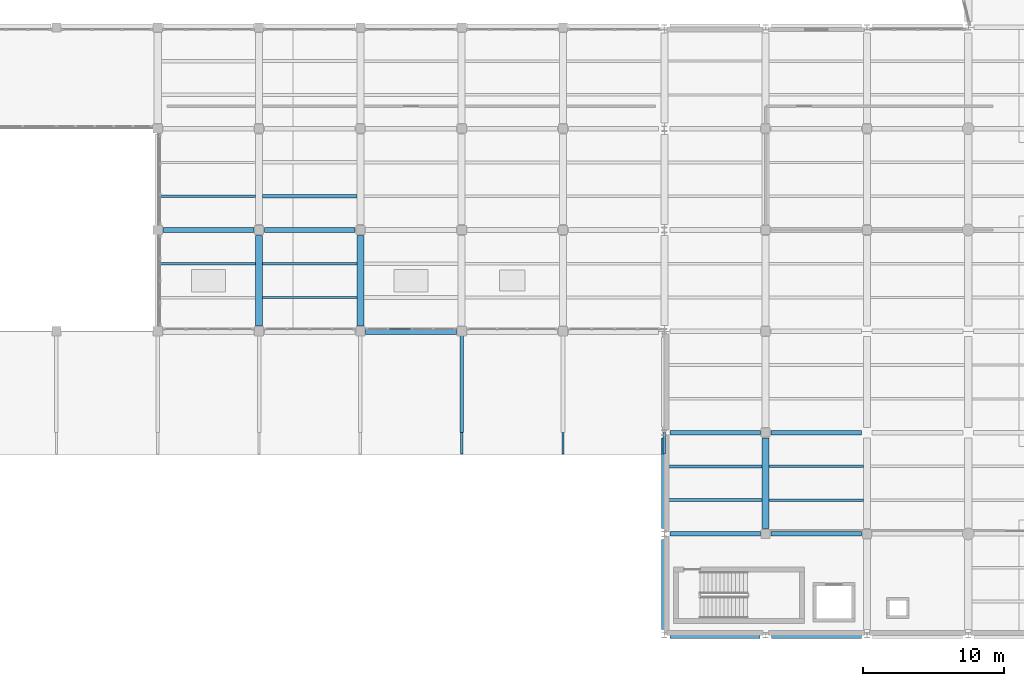
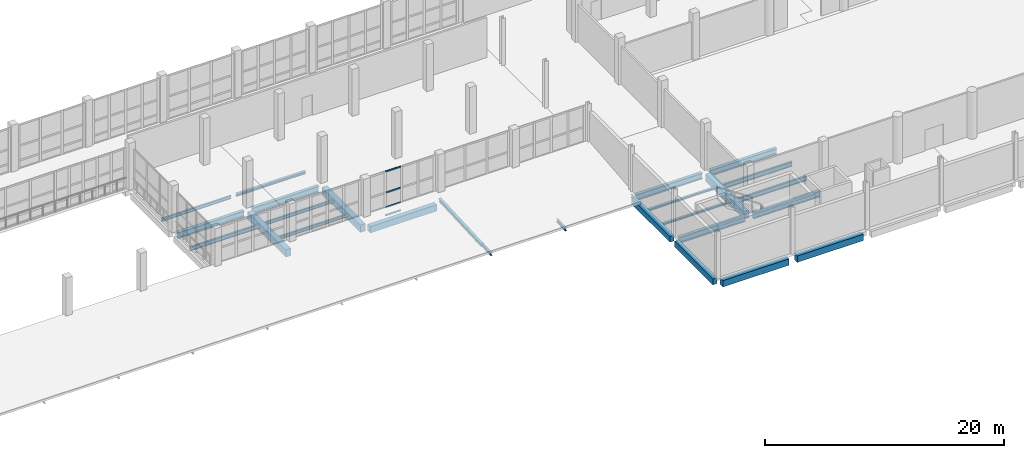
# One storey, part 29 of 127: 24 beams, 7 members, 1 element without a shape of its own.
"""IFC4 building model written with IfcOpenShell, lengths in metres."""

import ifcopenshell
import ifcopenshell.guid

model = None  # the IFC model being written
_history = None  # IfcOwnerHistory: only IFC2X3 demands one
_inside = {}  # id of a spatial element -> (the spatial element, [elements in it])
_under = {}  # id of a project, library or spatial element -> (it, [spatial elements below it])
_declared = {}  # id of a project -> (the project, [libraries it declares])
_typed = {}  # id of a type object -> (the type object, [elements of that type])
_made_of = {}  # id of a material, layer set ... -> (it, [elements and type objects made of it])


def new_model(schema):
    """Start an empty IFC model of exactly this schema.

    Asked for "IFC4X3", IfcOpenShell would pick the latest addendum, in which some entities
    have other attributes; the version numbers below select the first issue.
    IFC2X3 requires an IfcOwnerHistory on every rooted entity: one is made here for all.
    """
    global model, _history
    if schema == "IFC4X3":
        model = ifcopenshell.file(schema_version=(4, 3, 0, 0))
    else:
        model = ifcopenshell.file(schema=schema)
    _inside.clear()
    _under.clear()
    _declared.clear()
    _typed.clear()
    _made_of.clear()
    _history = None
    if model.schema == "IFC2X3":
        org = make("IfcOrganization", Name="unknown")
        user = make(
            "IfcPersonAndOrganization",
            ThePerson=make("IfcPerson", FamilyName="unknown"),
            TheOrganization=org,
        )
        app = make(
            "IfcApplication",
            ApplicationDeveloper=org,
            Version="unknown",
            ApplicationFullName="unknown",
            ApplicationIdentifier="unknown",
        )
        _history = make(
            "IfcOwnerHistory",
            OwningUser=user,
            OwningApplication=app,
            ChangeAction="ADDED",
            CreationDate=0,
        )
    return model


def make(cls, **values):
    """One entity of the class cls with the attributes given. An attribute that is None is left unset."""
    return model.create_entity(
        cls, **{name: value for name, value in values.items() if value is not None}
    )


def rooted(cls, **values):
    """An entity with a GlobalId (a new one), such as an element, a storey or a relation."""
    return make(cls, GlobalId=ifcopenshell.guid.new(), OwnerHistory=_history, **values)


def si_unit(unit_type, name, prefix=None):
    """IfcSIUnit, for example si_unit("LENGTHUNIT", "METRE", prefix="MILLI")."""
    return make("IfcSIUnit", UnitType=unit_type, Prefix=prefix, Name=name)


def assignment(units):
    """IfcUnitAssignment: the units of a project."""
    return None if units is None else make("IfcUnitAssignment", Units=units)


def point(xyz):
    """IfcCartesianPoint."""
    return None if xyz is None else make("IfcCartesianPoint", Coordinates=xyz)


def direction(xyz):
    """IfcDirection."""
    return None if xyz is None else make("IfcDirection", DirectionRatios=xyz)


def frame(location, z_axis=None, x_axis=None):
    """IfcAxis2Placement3D, a coordinate frame: its origin and axes. An axis left out is left unset."""
    return make(
        "IfcAxis2Placement3D",
        Location=point(location),
        Axis=direction(z_axis),
        RefDirection=direction(x_axis),
    )


def frame_2d(location, x_axis=None):
    """IfcAxis2Placement2D, a coordinate frame in the plane: its origin and x axis."""
    return make(
        "IfcAxis2Placement2D", Location=point(location), RefDirection=direction(x_axis)
    )


def origin():
    """The frame at (0, 0, 0) with its axes left unset."""
    return frame((0.0, 0.0, 0.0))


def origin_2d():
    """The frame at (0, 0) in the plane with its x axis left unset."""
    return frame_2d((0.0, 0.0))


def place(relative_to, where):
    """IfcLocalPlacement: puts the frame where relative to a parent placement (None: the world)."""
    return make(
        "IfcLocalPlacement", PlacementRelTo=relative_to, RelativePlacement=where
    )


def context(
    kind, dimensions, precision=None, world=None, true_north=None, identifier=None
):
    """IfcGeometricRepresentationContext, for example the 3D "Model" context."""
    return make(
        "IfcGeometricRepresentationContext",
        ContextIdentifier=identifier,
        ContextType=kind,
        CoordinateSpaceDimension=dimensions,
        Precision=precision,
        WorldCoordinateSystem=world,
        TrueNorth=true_north,
    )


def subcontext(parent, identifier, kind, view, scale=None):
    """IfcGeometricRepresentationSubContext, for example "Body" below "Model"."""
    return make(
        "IfcGeometricRepresentationSubContext",
        ContextIdentifier=identifier,
        ContextType=kind,
        ParentContext=parent,
        TargetScale=scale,
        TargetView=view,
    )


def project(units=None, contexts=None):
    """IfcProject with its units and contexts."""
    return rooted(
        "IfcProject",
        Name="project",
        RepresentationContexts=contexts,
        UnitsInContext=assignment(units),
    )


def spatial(cls, under=None, at=None, **own):
    """A site, building, storey or space (cls), placed at a placement, below another one or the project."""
    s = rooted(cls, ObjectPlacement=at, **own)
    if under is not None:
        _under.setdefault(under.id(), (under, []))[1].append(s)
    return s


def profile(cls, at=None, kind="AREA", **sizes):
    """A parametric profile (cls). Its sizes go by their IFC names, for example OverallWidth=200.0."""
    return make(cls, ProfileType=kind, Position=at, **sizes)


def rectangle(**sizes):
    """IfcRectangleProfileDef."""
    return profile("IfcRectangleProfileDef", **sizes)


def hollow_rectangle(**sizes):
    """IfcRectangleHollowProfileDef."""
    return profile("IfcRectangleHollowProfileDef", **sizes)


def i_section(**sizes):
    """IfcIShapeProfileDef."""
    return profile("IfcIShapeProfileDef", **sizes)


def extrude(swept, where, along, depth):
    """IfcExtrudedAreaSolid: the profile swept, set in the frame where, extruded along a direction by depth."""
    return make(
        "IfcExtrudedAreaSolid",
        SweptArea=swept,
        Position=where,
        ExtrudedDirection=direction(along),
        Depth=depth,
    )


def shape(context_of_items, identifier, shape_type, items):
    """IfcShapeRepresentation: the items that make up one representation, for example the "Body"."""
    return make(
        "IfcShapeRepresentation",
        ContextOfItems=context_of_items,
        RepresentationIdentifier=identifier,
        RepresentationType=shape_type,
        Items=items,
    )


def material(Name=None, Category=None):
    """IfcMaterial."""
    return make("IfcMaterial", Name=Name, Category=Category)


def material_profile(
    of_material, cross_section, Name=None, Category=None, Priority=None
):
    """IfcMaterialProfile: a cross section and its material."""
    return make(
        "IfcMaterialProfile",
        Name=Name,
        Material=of_material,
        Profile=cross_section,
        Priority=Priority,
        Category=Category,
    )


def profile_set(profiles, Name=None, composite=None):
    """IfcMaterialProfileSet."""
    return make(
        "IfcMaterialProfileSet",
        Name=Name,
        MaterialProfiles=profiles,
        CompositeProfile=composite,
    )


def made_of(thing, what):
    """Note that an element or type object is made of a material, layer set ...; save() writes the relation."""
    if what is not None:
        _made_of.setdefault(what.id(), (what, []))[1].append(thing)
    return thing


def type_object(cls, material=None, **own):
    """A type object (cls), such as IfcWallType, which elements share."""
    return made_of(rooted(cls, **own), material)


def element(
    cls,
    number,
    at=None,
    inside=None,
    cuts=None,
    type_object=None,
    material=None,
    context=None,
    identifier="Body",
    shape_type=None,
    held_by="IfcProductDefinitionShape",
    body=None,
    shapes=None,
    **own,
):
    """One element of the class cls, such as IfcWall. Its Tag is "e" and its number.

    at: its placement. inside: the storey or other place that contains it. cuts: it is an
    opening in that element (IfcRelVoidsElement). A single representation is given by context,
    identifier, shape_type and body (its items); several are given by shapes. held_by: the class
    of the entity that holds the representations. save() writes the other relations.
    """
    e = rooted(cls, Tag="e%d" % number, ObjectPlacement=at, **own)
    if body is not None:
        shapes = [shape(context, identifier, shape_type, body)]
    if shapes is not None:
        e.Representation = make(held_by, Representations=shapes)
    if inside is not None:
        _inside.setdefault(inside.id(), (inside, []))[1].append(e)
    if cuts is not None:
        rooted(
            "IfcRelVoidsElement", RelatingBuildingElement=cuts, RelatedOpeningElement=e
        )
    if type_object is not None:
        _typed.setdefault(type_object.id(), (type_object, []))[1].append(e)
    return made_of(e, material)


def aggregate(whole, parts):
    """IfcRelAggregates: a whole, such as a stair, and the parts it consists of."""
    return rooted("IfcRelAggregates", RelatingObject=whole, RelatedObjects=parts)


def save(model, path):
    """Write the relations noted so far, then the file.

    IfcRelAggregates (storeys below a building ...), IfcRelContainedInSpatialStructure (elements
    in a storey), IfcRelDefinesByType, IfcRelAssociatesMaterial and IfcRelDeclares: one each for
    every whole, place, type object, material and project.
    """
    for whole, parts in _under.values():
        aggregate(whole, parts)
    for where, things in _inside.values():
        rooted(
            "IfcRelContainedInSpatialStructure",
            RelatedElements=things,
            RelatingStructure=where,
        )
    for kind, things in _typed.values():
        rooted("IfcRelDefinesByType", RelatedObjects=things, RelatingType=kind)
    for what, things in _made_of.values():
        rooted("IfcRelAssociatesMaterial", RelatedObjects=things, RelatingMaterial=what)
    for by, libraries in _declared.values():
        rooted("IfcRelDeclares", RelatingContext=by, RelatedDefinitions=libraries)
    model.write(path)


model = new_model("IFC4")

# Units and contexts
model_context = context("Model", 3, precision=1e-05, world=origin(), true_north=direction((0.0, 1.0)))
body_context = subcontext(model_context, "Body", "Model", "MODEL_VIEW")
ifc_project = project(units=[si_unit("LENGTHUNIT", "METRE"), si_unit("AREAUNIT", "SQUARE_METRE"), si_unit("VOLUMEUNIT", "CUBIC_METRE"), si_unit("PLANEANGLEUNIT", "RADIAN"), si_unit("MASSUNIT", "GRAM", prefix="KILO")], contexts=[model_context])

# Site, building, storey
site_placement = place(None, origin())
site = spatial("IfcSite", under=ifc_project, at=site_placement, CompositionType="ELEMENT")
building_placement = place(site_placement, origin())
building = spatial("IfcBuilding", under=site, at=building_placement, Name="Kalmorath City Hall", CompositionType="ELEMENT")
storey_placement = place(building_placement, frame((0.0, 0.0, 5.39990234375)))
storey = spatial("IfcBuildingStorey", under=building, at=storey_placement, Name="L01", CompositionType="ELEMENT", Elevation=5.39990234375)

# Beams
ifc_material_1 = material(Name="Concrete C40/50", Category="concrete")
ifc_material_profile_1 = material_profile(ifc_material_1, rectangle(XDim=0.39990234375, YDim=0.60009765625, at=origin_2d()), Name="RC-BM-400X600")
ifc_profile_set_1 = profile_set([ifc_material_profile_1], Name="Concrete C40/50")
beam_type_1 = type_object("IfcBeamType", Name="Concrete edge beam 400x600", PredefinedType="SPANDREL", material=ifc_profile_set_1)
beam_1_placement = place(storey_placement, frame((115.199951171875, 0.39990234375, -0.6240234375), z_axis=(0.0, 1.0, 0.0), x_axis=(-1.0, 0.0, 0.0)))
element("IfcBeam", 1, at=beam_1_placement, inside=storey, type_object=beam_type_1, Name="L01 girder CB6 Y17/1-2", PredefinedType="SPANDREL", context=body_context, shape_type="SweptSolid", body=[
    extrude(rectangle(XDim=0.39990234375, YDim=0.60009765625, at=origin_2d()), origin(), (0.0, 0.0, 1.0), 6.400146484375),
])
beam_2_placement = place(storey_placement, frame((115.199951171875, 7.60009765625, -0.6240234375), z_axis=(0.0, 1.0, 0.0), x_axis=(-1.0, 0.0, 0.0)))
element("IfcBeam", 2, at=beam_2_placement, inside=storey, type_object=beam_type_1, Name="L01 girder CB6 Y17/2-3", PredefinedType="SPANDREL", context=body_context, shape_type="SweptSolid", body=[
    extrude(rectangle(XDim=0.39990234375, YDim=0.60009765625, at=origin_2d()), origin(), (0.0, 0.0, 1.0), 6.39990234375),
])
ifc_material_2 = material(Name="Concrete C40/50", Category="concrete")
ifc_material_profile_2 = material_profile(ifc_material_2, rectangle(XDim=0.5, YDim=0.75, at=origin_2d()), Name="RC-BM-500X750")
ifc_profile_set_2 = profile_set([ifc_material_profile_2], Name="Concrete C40/50")
beam_type_2 = type_object("IfcBeamType", Name="Concrete floor beam 500x750", PredefinedType="BEAM", material=ifc_profile_set_2)
for number, where, z_axis, x_axis, name in (
    (3, (86.39990234375, 21.97509765625, -0.698974609375), (0.0, 1.0, 0.0), (-1.0, 0.0, 0.0), "L01 girder CB3 Y13/4-5"),
    (4, (93.60009765625, 21.97509765625, -0.698974609375), (0.0, 1.0, 0.0), (-1.0, 0.0, 0.0), "L01 girder CB3 Y14/4-5"),
    (5, (122.39990234375, 7.574951171875, -0.698974609375), (0.0, 1.0, 0.0), (-1.0, 0.0, 0.0), "L01 girder CB3 Y18/2-3"),
):
    element("IfcBeam", number, at=place(storey_placement, frame(where, z_axis=z_axis, x_axis=x_axis)), inside=storey, type_object=beam_type_2, Name=name, PredefinedType="BEAM", context=body_context, shape_type="SweptSolid", body=[
        extrude(rectangle(XDim=0.5, YDim=0.75, at=origin_2d()), origin(), (0.0, 0.0, 1.0), 6.449951171875),
    ])
ifc_material_3 = material(Name="Concrete C40/50", Category="concrete")
ifc_material_profile_3 = material_profile(ifc_material_3, rectangle(XDim=0.449951171875, YDim=0.64990234375, at=origin_2d()), Name="RC-BM-450X650")
ifc_profile_set_3 = profile_set([ifc_material_profile_3], Name="Concrete C40/50")
beam_type_3 = type_object("IfcBeamType", Name="Concrete spandrel beam 450x650", PredefinedType="SPANDREL", material=ifc_profile_set_3)
for number, where, z_axis, x_axis, name in (
    (6, (115.60009765625, 0.0, -0.64892578125), (1.0, 0.0, 0.0), (0.0, 1.0, 0.0), "L01 girder CB5 X17-18/1"),
    (7, (122.800048828125, 0.0, -0.64892578125), (1.0, 0.0, 0.0), (0.0, 1.0, 0.0), "L01 girder CB5 X18-19/1"),
):
    element("IfcBeam", number, at=place(storey_placement, frame(where, z_axis=z_axis, x_axis=x_axis)), inside=storey, type_object=beam_type_3, Name=name, PredefinedType="SPANDREL", context=body_context, shape_type="SweptSolid", body=[
        extrude(rectangle(XDim=0.449951171875, YDim=0.64990234375, at=origin_2d()), origin(), (0.0, 0.0, 1.0), 6.39990234375),
    ])
beam_3_placement = place(storey_placement, frame((93.97509765625, 21.60009765625, -0.64892578125), z_axis=(1.0, 0.0, 0.0), x_axis=(0.0, 1.0, 0.0)))
element("IfcBeam", 8, at=beam_3_placement, inside=storey, type_object=beam_type_3, Name="L01 girder CB5 X14-15/4", PredefinedType="SPANDREL", context=body_context, shape_type="SweptSolid", body=[
    extrude(rectangle(XDim=0.449951171875, YDim=0.64990234375, at=origin_2d()), origin(), (0.0, 0.0, 1.0), 6.449951171875),
])

# Curtain wall, members
ifc_material_4 = material(Name="Anodised aluminium and laminated glass", Category="aluminium")
curtain_wall_type = type_object("IfcCurtainWallType", Name="Unitised hurricane curtain wall 6370x4520 M1500", PredefinedType="NOTDEFINED", material=ifc_material_4)
curtain_wall_placement = place(storey_placement, origin())
curtain_wall = element("IfcCurtainWall", 9, at=curtain_wall_placement, inside=storey, type_object=curtain_wall_type, Name="L01 curtain wall CW-64X45M15 #69", PredefinedType="NOTDEFINED")
ifc_material_5 = material(Name="Anodised aluminium framing", Category="aluminium")
ifc_material_profile_4 = material_profile(ifc_material_5, hollow_rectangle(XDim=0.06494140625, YDim=0.159912109375, WallThickness=0.00390625, InnerFilletRadius=0.00390625, OuterFilletRadius=0.008056640625, at=origin_2d()), Name="ALU-TRN-160X65X4")
ifc_profile_set_4 = profile_set([ifc_material_profile_4], Name="Anodised aluminium framing")
member_type_1 = type_object("IfcMemberType", Name="Curtain-wall primary transom 160x65", PredefinedType="USERDEFINED", material=ifc_profile_set_4)
member_1_placement = place(storey_placement, frame((97.16259765625, 21.760009765625, 0.03271484375), z_axis=(-1.0, 0.0, 0.0), x_axis=(0.0, -1.0, 0.0)))
member_1 = element("IfcMember", 10, at=member_1_placement, type_object=member_type_1, Name="CW-64X45M15 transom 3.1", ObjectType="TRANSOM", PredefinedType="USERDEFINED", context=body_context, shape_type="SweptSolid", body=[
    extrude(hollow_rectangle(XDim=0.06494140625, YDim=0.159912109375, WallThickness=0.00390625, InnerFilletRadius=0.00390625, OuterFilletRadius=0.008056640625, at=origin_2d()), origin(), (0.0, 0.0, 1.0), 1.517578125),
])
member_2_placement = place(storey_placement, frame((97.16259765625, 21.760009765625, 0.85009765625), z_axis=(-1.0, 0.0, 0.0), x_axis=(0.0, -1.0, 0.0)))
member_2 = element("IfcMember", 11, at=member_2_placement, type_object=member_type_1, Name="CW-64X45M15 transom 3.2", ObjectType="TRANSOM", PredefinedType="USERDEFINED", context=body_context, shape_type="SweptSolid", body=[
    extrude(hollow_rectangle(XDim=0.06494140625, YDim=0.159912109375, WallThickness=0.00390625, InnerFilletRadius=0.00390625, OuterFilletRadius=0.008056640625, at=origin_2d()), origin(), (0.0, 0.0, 1.0), 1.517578125),
])
member_3_placement = place(storey_placement, frame((97.16259765625, 21.760009765625, 2.35009765625), z_axis=(-1.0, 0.0, 0.0), x_axis=(0.0, -1.0, 0.0)))
member_3 = element("IfcMember", 12, at=member_3_placement, type_object=member_type_1, Name="CW-64X45M15 transom 3.3", ObjectType="TRANSOM", PredefinedType="USERDEFINED", context=body_context, shape_type="SweptSolid", body=[
    extrude(hollow_rectangle(XDim=0.06494140625, YDim=0.159912109375, WallThickness=0.00390625, InnerFilletRadius=0.00390625, OuterFilletRadius=0.008056640625, at=origin_2d()), origin(), (0.0, 0.0, 1.0), 1.517578125),
])
member_4_placement = place(storey_placement, frame((97.16259765625, 21.760009765625, 4.487548828125), z_axis=(-1.0, 0.0, 0.0), x_axis=(0.0, -1.0, 0.0)))
member_4 = element("IfcMember", 13, at=member_4_placement, type_object=member_type_1, Name="CW-64X45M15 transom 3.4", ObjectType="TRANSOM", PredefinedType="USERDEFINED", context=body_context, shape_type="SweptSolid", body=[
    extrude(hollow_rectangle(XDim=0.06494140625, YDim=0.159912109375, WallThickness=0.00390625, InnerFilletRadius=0.00390625, OuterFilletRadius=0.008056640625, at=origin_2d()), origin(), (0.0, 0.0, 1.0), 1.517578125),
])
aggregate(curtain_wall, [member_1, member_2, member_3, member_4])

# Beams
ifc_material_6 = material(Name="Steel ASTM A992 Grade 50", Category="steel")
ifc_material_profile_5 = material_profile(ifc_material_6, i_section(OverallWidth=0.25390625, OverallDepth=0.305908203125, WebThickness=0.0087890625, FlangeThickness=0.0146484375, FilletRadius=0.014892578125, at=origin_2d()), Name="W12X53")
ifc_profile_set_5 = profile_set([ifc_material_profile_5], Name="Steel ASTM A992 Grade 50")
beam_type_4 = type_object("IfcBeamType", Name="Steel canopy beam W12X53", PredefinedType="BEAM", material=ifc_profile_set_5)
beam_4_placement = place(storey_placement, frame((100.800048828125, 14.39990234375, -0.3798828125), z_axis=(0.0, 0.998886377864, 0.047180548093), x_axis=(-1.0, 0.0, 0.0)))
element("IfcBeam", 14, at=beam_4_placement, inside=storey, type_object=beam_type_4, Name="Storm arcade canopy beam SJ11-10", PredefinedType="BEAM", context=body_context, shape_type="SweptSolid", body=[
    extrude(i_section(OverallWidth=0.25390625, OverallDepth=0.305908203125, WebThickness=0.0087890625, FlangeThickness=0.0146484375, FilletRadius=0.014892578125, at=origin_2d()), origin(), (0.0, 0.0, 1.0), 7.208251953125),
])
ifc_material_7 = material(Name="Steel ASTM A992 Grade 50", Category="steel")
ifc_material_profile_6 = material_profile(ifc_material_7, i_section(OverallWidth=0.177001953125, OverallDepth=0.403076171875, WebThickness=0.007568359375, FlangeThickness=0.010986328125, FilletRadius=0.012939453125, at=origin_2d()), Name="W16X36")
ifc_profile_set_6 = profile_set([ifc_material_profile_6], Name="Steel ASTM A992 Grade 50")
beam_type_5 = type_object("IfcBeamType", Name="Steel composite joist W16X36", PredefinedType="JOIST", material=ifc_profile_set_6)
beam_5_placement = place(storey_placement, frame((79.39990234375, 26.39990234375, -0.525390625), z_axis=(1.0, 0.0, 0.0), x_axis=(0.0, 1.0, 0.0)))
element("IfcBeam", 15, at=beam_5_placement, inside=storey, type_object=beam_type_5, Name="L01 joist SJ7 12.4.2", PredefinedType="JOIST", context=body_context, shape_type="SweptSolid", body=[
    extrude(i_section(OverallWidth=0.177001953125, OverallDepth=0.403076171875, WebThickness=0.007568359375, FlangeThickness=0.010986328125, FilletRadius=0.012939453125, at=origin_2d()), origin(), (0.0, 0.0, 1.0), 6.75),
])
ifc_material_8 = material(Name="Steel ASTM A992 Grade 50", Category="steel")
ifc_material_profile_7 = material_profile(ifc_material_8, i_section(OverallWidth=0.193115234375, OverallDepth=0.466064453125, WebThickness=0.011474609375, FlangeThickness=0.01904296875, FilletRadius=0.013916015625, at=origin_2d()), Name="W18X65")
ifc_profile_set_7 = profile_set([ifc_material_profile_7], Name="Steel ASTM A992 Grade 50")
beam_type_6 = type_object("IfcBeamType", Name="Steel composite joist W18X65", PredefinedType="JOIST", material=ifc_profile_set_7)
for number, where, z_axis, x_axis, name in (
    (16, (122.64990234375, 9.60009765625, -0.556884765625), (1.0, 0.0, 0.0), (0.0, 1.0, 0.0), "L01 joist SJ1 18.2.1"),
    (17, (122.64990234375, 12.0, -0.556884765625), (1.0, 0.0, 0.0), (0.0, 1.0, 0.0), "L01 joist SJ1 18.2.2"),
):
    element("IfcBeam", number, at=place(storey_placement, frame(where, z_axis=z_axis, x_axis=x_axis)), inside=storey, type_object=beam_type_6, Name=name, PredefinedType="JOIST", context=body_context, shape_type="SweptSolid", body=[
        extrude(i_section(OverallWidth=0.193115234375, OverallDepth=0.466064453125, WebThickness=0.011474609375, FlangeThickness=0.01904296875, FilletRadius=0.013916015625, at=origin_2d()), origin(), (0.0, 0.0, 1.0), 6.7001953125),
    ])

# Members
ifc_material_9 = material(Name="Steel ASTM A992 Grade 50", Category="steel")
ifc_material_profile_8 = material_profile(ifc_material_9, i_section(OverallWidth=0.1669921875, OverallDepth=0.318115234375, WebThickness=0.007568359375, FlangeThickness=0.01318359375, FilletRadius=0.012939453125, at=origin_2d()), Name="W12X35")
ifc_profile_set_8 = profile_set([ifc_material_profile_8], Name="Steel ASTM A992 Grade 50")
member_type_2 = type_object("IfcMemberType", Name="Steel eave outlooker rafter W12X35", PredefinedType="RAFTER", material=ifc_profile_set_8)
for number, where, z_axis, x_axis, name in (
    (18, (100.800048828125, 12.89990234375, -0.3798828125), (0.0, 0.999199399207, 0.040007007195), (-1.0, 0.0, 0.0), "Storm arcade eave outlooker RF4-10"),
    (19, (108.0, 12.89990234375, -0.3798828125), (0.0, 0.999199399207, 0.040007007195), (-1.0, 0.0, 0.0), "Storm arcade eave outlooker RF4-11"),
    (20, (115.199951171875, 12.89990234375, -0.3798828125), (0.0, 0.999199399207, 0.040007007195), (-1.0, 0.0, 0.0), "Storm arcade eave outlooker RF4-12"),
):
    element("IfcMember", number, at=place(storey_placement, frame(where, z_axis=z_axis, x_axis=x_axis)), inside=storey, type_object=member_type_2, Name=name, PredefinedType="RAFTER", context=body_context, shape_type="SweptSolid", body=[
        extrude(i_section(OverallWidth=0.1669921875, OverallDepth=0.318115234375, WebThickness=0.007568359375, FlangeThickness=0.01318359375, FilletRadius=0.012939453125, at=origin_2d()), origin(), (0.0, 0.0, 1.0), 1.501220703125),
    ])

# Beams
ifc_material_10 = material(Name="Steel ASTM A992 Grade 50", Category="steel")
ifc_material_profile_9 = material_profile(ifc_material_10, i_section(OverallWidth=0.202880859375, OverallDepth=0.202880859375, WebThickness=0.007080078125, FlangeThickness=0.010986328125, FilletRadius=0.010986328125, at=origin_2d()), Name="W8X31")
ifc_profile_set_9 = profile_set([ifc_material_profile_9], Name="Steel ASTM A992 Grade 50")
beam_type_7 = type_object("IfcBeamType", Name="Steel edge trimmer W8X31", PredefinedType="LINTEL", material=ifc_profile_set_9)
for number, where, z_axis, x_axis, name in (
    (21, (115.39990234375, 9.60009765625, -0.42529296875), (1.0, 0.0, 0.0), (0.0, 1.0, 0.0), "L01 joist SJ16 17.2.1"),
    (22, (115.39990234375, 12.0, -0.42529296875), (1.0, 0.0, 0.0), (0.0, 1.0, 0.0), "L01 joist SJ16 17.2.2"),
):
    element("IfcBeam", number, at=place(storey_placement, frame(where, z_axis=z_axis, x_axis=x_axis)), inside=storey, type_object=beam_type_7, Name=name, PredefinedType="LINTEL", context=body_context, shape_type="SweptSolid", body=[
        extrude(i_section(OverallWidth=0.202880859375, OverallDepth=0.202880859375, WebThickness=0.007080078125, FlangeThickness=0.010986328125, FilletRadius=0.010986328125, at=origin_2d()), origin(), (0.0, 0.0, 1.0), 6.75),
    ])
ifc_material_11 = material(Name="Steel ASTM A992 Grade 50", Category="steel")
ifc_material_profile_10 = material_profile(ifc_material_11, i_section(OverallWidth=0.323974609375, OverallDepth=0.611083984375, WebThickness=0.0126953125, FlangeThickness=0.01904296875, FilletRadius=0.01611328125, at=origin_2d()), Name="W24X104")
ifc_profile_set_10 = profile_set([ifc_material_profile_10], Name="Steel ASTM A992 Grade 50")
beam_type_8 = type_object("IfcBeamType", Name="Steel floor girder W24X104", PredefinedType="BEAM", material=ifc_profile_set_10)
beam_6_placement = place(storey_placement, frame((115.60009765625, 7.199951171875, -0.62939453125), z_axis=(1.0, 0.0, 0.0), x_axis=(0.0, 1.0, 0.0)))
element("IfcBeam", 23, at=beam_6_placement, inside=storey, type_object=beam_type_8, Name="L01 girder SG7 X17-18/2", PredefinedType="BEAM", context=body_context, shape_type="SweptSolid", body=[
    extrude(i_section(OverallWidth=0.323974609375, OverallDepth=0.611083984375, WebThickness=0.0126953125, FlangeThickness=0.01904296875, FilletRadius=0.01611328125, at=origin_2d()), origin(), (0.0, 0.0, 1.0), 6.4248046875),
])
beam_7_placement = place(storey_placement, frame((122.77490234375, 7.199951171875, -0.62939453125), z_axis=(1.0, 0.0, 0.0), x_axis=(0.0, 1.0, 0.0)))
element("IfcBeam", 24, at=beam_7_placement, inside=storey, type_object=beam_type_8, Name="L01 girder SG7 X18-19/2", PredefinedType="BEAM", context=body_context, shape_type="SweptSolid", body=[
    extrude(i_section(OverallWidth=0.323974609375, OverallDepth=0.611083984375, WebThickness=0.0126953125, FlangeThickness=0.01904296875, FilletRadius=0.01611328125, at=origin_2d()), origin(), (0.0, 0.0, 1.0), 6.4501953125),
])
beam_8_placement = place(storey_placement, frame((115.60009765625, 14.39990234375, -0.62939453125), z_axis=(1.0, 0.0, 0.0), x_axis=(0.0, 1.0, 0.0)))
element("IfcBeam", 25, at=beam_8_placement, inside=storey, type_object=beam_type_8, Name="L01 girder SG7 X17-18/3", PredefinedType="BEAM", context=body_context, shape_type="SweptSolid", body=[
    extrude(i_section(OverallWidth=0.323974609375, OverallDepth=0.611083984375, WebThickness=0.0126953125, FlangeThickness=0.01904296875, FilletRadius=0.01611328125, at=origin_2d()), origin(), (0.0, 0.0, 1.0), 6.4248046875),
])
beam_9_placement = place(storey_placement, frame((122.77490234375, 14.39990234375, -0.62939453125), z_axis=(1.0, 0.0, 0.0), x_axis=(0.0, 1.0, 0.0)))
element("IfcBeam", 26, at=beam_9_placement, inside=storey, type_object=beam_type_8, Name="L01 girder SG7 X18-19/3", PredefinedType="BEAM", context=body_context, shape_type="SweptSolid", body=[
    extrude(i_section(OverallWidth=0.323974609375, OverallDepth=0.611083984375, WebThickness=0.0126953125, FlangeThickness=0.01904296875, FilletRadius=0.01611328125, at=origin_2d()), origin(), (0.0, 0.0, 1.0), 6.4501953125),
])
beam_10_placement = place(storey_placement, frame((79.574951171875, 28.800048828125, -0.62939453125), z_axis=(1.0, 0.0, 0.0), x_axis=(0.0, 1.0, 0.0)))
element("IfcBeam", 27, at=beam_10_placement, inside=storey, type_object=beam_type_8, Name="L01 girder SG7 X12-13/5", PredefinedType="BEAM", context=body_context, shape_type="SweptSolid", body=[
    extrude(i_section(OverallWidth=0.323974609375, OverallDepth=0.611083984375, WebThickness=0.0126953125, FlangeThickness=0.01904296875, FilletRadius=0.01611328125, at=origin_2d()), origin(), (0.0, 0.0, 1.0), 6.449951171875),
])
beam_11_placement = place(storey_placement, frame((86.77490234375, 28.800048828125, -0.62939453125), z_axis=(1.0, 0.0, 0.0), x_axis=(0.0, 1.0, 0.0)))
element("IfcBeam", 28, at=beam_11_placement, inside=storey, type_object=beam_type_8, Name="L01 girder SG7 X13-14/5", PredefinedType="BEAM", context=body_context, shape_type="SweptSolid", body=[
    extrude(i_section(OverallWidth=0.323974609375, OverallDepth=0.611083984375, WebThickness=0.0126953125, FlangeThickness=0.01904296875, FilletRadius=0.01611328125, at=origin_2d()), origin(), (0.0, 0.0, 1.0), 6.4501953125),
])
ifc_material_12 = material(Name="Steel ASTM A992 Grade 50", Category="steel")
ifc_material_profile_11 = material_profile(ifc_material_12, i_section(OverallWidth=0.1669921875, OverallDepth=0.318115234375, WebThickness=0.007568359375, FlangeThickness=0.01318359375, FilletRadius=0.012939453125, at=origin_2d()), Name="W12X35")
ifc_profile_set_11 = profile_set([ifc_material_profile_11], Name="Steel ASTM A992 Grade 50")
beam_type_9 = type_object("IfcBeamType", Name="Steel header lintel W12X35", PredefinedType="LINTEL", material=ifc_profile_set_11)
beam_12_placement = place(storey_placement, frame((79.39990234375, 31.199951171875, -0.48291015625), z_axis=(1.0, 0.0, 0.0), x_axis=(0.0, 1.0, 0.0)))
element("IfcBeam", 29, at=beam_12_placement, inside=storey, type_object=beam_type_9, Name="L01 joist SJ13 12.5.1", PredefinedType="LINTEL", context=body_context, shape_type="SweptSolid", body=[
    extrude(i_section(OverallWidth=0.1669921875, OverallDepth=0.318115234375, WebThickness=0.007568359375, FlangeThickness=0.01318359375, FilletRadius=0.012939453125, at=origin_2d()), origin(), (0.0, 0.0, 1.0), 6.75),
])
for number, where, z_axis, x_axis, name in (
    (30, (86.64990234375, 24.0, -0.48291015625), (1.0, 0.0, 0.0), (0.0, 1.0, 0.0), "L01 joist SJ13 13.4.1"),
    (31, (86.64990234375, 26.39990234375, -0.48291015625), (1.0, 0.0, 0.0), (0.0, 1.0, 0.0), "L01 joist SJ13 13.4.2"),
):
    element("IfcBeam", number, at=place(storey_placement, frame(where, z_axis=z_axis, x_axis=x_axis)), inside=storey, type_object=beam_type_9, Name=name, PredefinedType="LINTEL", context=body_context, shape_type="SweptSolid", body=[
        extrude(i_section(OverallWidth=0.1669921875, OverallDepth=0.318115234375, WebThickness=0.007568359375, FlangeThickness=0.01318359375, FilletRadius=0.012939453125, at=origin_2d()), origin(), (0.0, 0.0, 1.0), 6.7001953125),
    ])
ifc_material_13 = material(Name="Steel ASTM A992 Grade 50", Category="steel")
ifc_material_profile_12 = material_profile(ifc_material_13, i_section(OverallWidth=0.25390625, OverallDepth=0.2529296875, WebThickness=0.008544921875, FlangeThickness=0.01416015625, FilletRadius=0.011962890625, at=origin_2d()), Name="W10X49")
ifc_profile_set_12 = profile_set([ifc_material_profile_12], Name="Steel ASTM A992 Grade 50")
beam_type_10 = type_object("IfcBeamType", Name="Steel trimmer beam W10X49", PredefinedType="BEAM", material=ifc_profile_set_12)
beam_13_placement = place(storey_placement, frame((86.64990234375, 31.199951171875, -0.450439453125), z_axis=(1.0, 0.0, 0.0), x_axis=(0.0, 1.0, 0.0)))
element("IfcBeam", 32, at=beam_13_placement, inside=storey, type_object=beam_type_10, Name="L01 joist SJ14 13.5.1", PredefinedType="BEAM", context=body_context, shape_type="SweptSolid", body=[
    extrude(i_section(OverallWidth=0.25390625, OverallDepth=0.2529296875, WebThickness=0.008544921875, FlangeThickness=0.01416015625, FilletRadius=0.011962890625, at=origin_2d()), origin(), (0.0, 0.0, 1.0), 6.7001953125),
])

save(model, "model.ifc")
